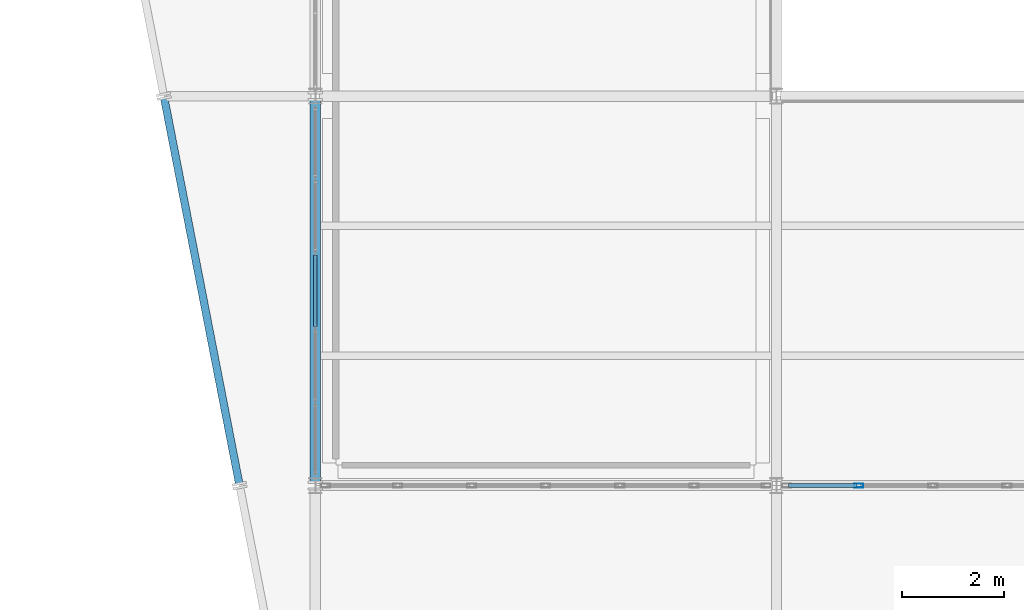
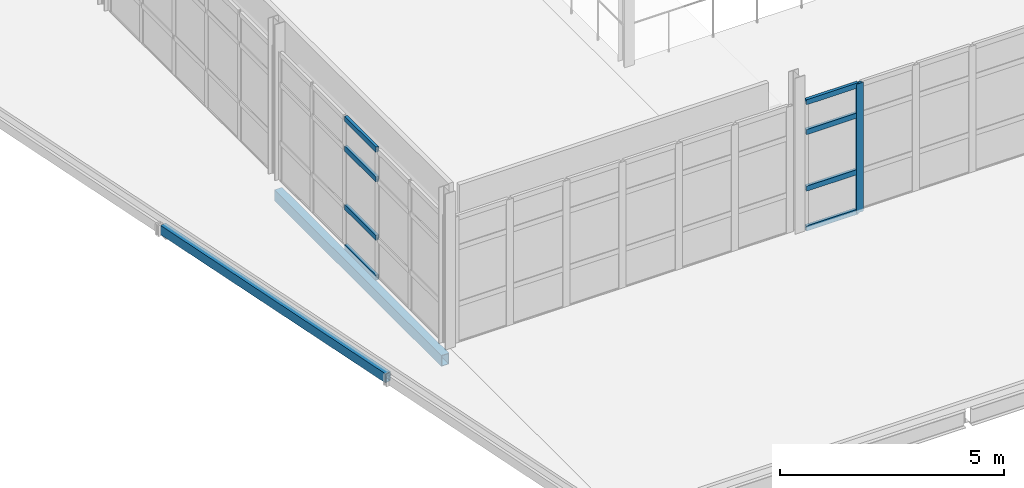
# One storey, part 39 of 96: 9 members, 2 beams, 2 elements without a shape of their own.
"""IFC4 building model written with IfcOpenShell, lengths in metres."""

import ifcopenshell
import ifcopenshell.guid

model = None  # the IFC model being written
_history = None  # IfcOwnerHistory: only IFC2X3 demands one
_inside = {}  # id of a spatial element -> (the spatial element, [elements in it])
_under = {}  # id of a project, library or spatial element -> (it, [spatial elements below it])
_declared = {}  # id of a project -> (the project, [libraries it declares])
_typed = {}  # id of a type object -> (the type object, [elements of that type])
_made_of = {}  # id of a material, layer set ... -> (it, [elements and type objects made of it])


def new_model(schema):
    """Start an empty IFC model of exactly this schema.

    Asked for "IFC4X3", IfcOpenShell would pick the latest addendum, in which some entities
    have other attributes; the version numbers below select the first issue.
    IFC2X3 requires an IfcOwnerHistory on every rooted entity: one is made here for all.
    """
    global model, _history
    if schema == "IFC4X3":
        model = ifcopenshell.file(schema_version=(4, 3, 0, 0))
    else:
        model = ifcopenshell.file(schema=schema)
    _inside.clear()
    _under.clear()
    _declared.clear()
    _typed.clear()
    _made_of.clear()
    _history = None
    if model.schema == "IFC2X3":
        org = make("IfcOrganization", Name="unknown")
        user = make(
            "IfcPersonAndOrganization",
            ThePerson=make("IfcPerson", FamilyName="unknown"),
            TheOrganization=org,
        )
        app = make(
            "IfcApplication",
            ApplicationDeveloper=org,
            Version="unknown",
            ApplicationFullName="unknown",
            ApplicationIdentifier="unknown",
        )
        _history = make(
            "IfcOwnerHistory",
            OwningUser=user,
            OwningApplication=app,
            ChangeAction="ADDED",
            CreationDate=0,
        )
    return model


def make(cls, **values):
    """One entity of the class cls with the attributes given. An attribute that is None is left unset."""
    return model.create_entity(
        cls, **{name: value for name, value in values.items() if value is not None}
    )


def rooted(cls, **values):
    """An entity with a GlobalId (a new one), such as an element, a storey or a relation."""
    return make(cls, GlobalId=ifcopenshell.guid.new(), OwnerHistory=_history, **values)


def si_unit(unit_type, name, prefix=None):
    """IfcSIUnit, for example si_unit("LENGTHUNIT", "METRE", prefix="MILLI")."""
    return make("IfcSIUnit", UnitType=unit_type, Prefix=prefix, Name=name)


def assignment(units):
    """IfcUnitAssignment: the units of a project."""
    return None if units is None else make("IfcUnitAssignment", Units=units)


def point(xyz):
    """IfcCartesianPoint."""
    return None if xyz is None else make("IfcCartesianPoint", Coordinates=xyz)


def direction(xyz):
    """IfcDirection."""
    return None if xyz is None else make("IfcDirection", DirectionRatios=xyz)


def frame(location, z_axis=None, x_axis=None):
    """IfcAxis2Placement3D, a coordinate frame: its origin and axes. An axis left out is left unset."""
    return make(
        "IfcAxis2Placement3D",
        Location=point(location),
        Axis=direction(z_axis),
        RefDirection=direction(x_axis),
    )


def frame_2d(location, x_axis=None):
    """IfcAxis2Placement2D, a coordinate frame in the plane: its origin and x axis."""
    return make(
        "IfcAxis2Placement2D", Location=point(location), RefDirection=direction(x_axis)
    )


def origin():
    """The frame at (0, 0, 0) with its axes left unset."""
    return frame((0.0, 0.0, 0.0))


def origin_2d():
    """The frame at (0, 0) in the plane with its x axis left unset."""
    return frame_2d((0.0, 0.0))


def place(relative_to, where):
    """IfcLocalPlacement: puts the frame where relative to a parent placement (None: the world)."""
    return make(
        "IfcLocalPlacement", PlacementRelTo=relative_to, RelativePlacement=where
    )


def context(
    kind, dimensions, precision=None, world=None, true_north=None, identifier=None
):
    """IfcGeometricRepresentationContext, for example the 3D "Model" context."""
    return make(
        "IfcGeometricRepresentationContext",
        ContextIdentifier=identifier,
        ContextType=kind,
        CoordinateSpaceDimension=dimensions,
        Precision=precision,
        WorldCoordinateSystem=world,
        TrueNorth=true_north,
    )


def subcontext(parent, identifier, kind, view, scale=None):
    """IfcGeometricRepresentationSubContext, for example "Body" below "Model"."""
    return make(
        "IfcGeometricRepresentationSubContext",
        ContextIdentifier=identifier,
        ContextType=kind,
        ParentContext=parent,
        TargetScale=scale,
        TargetView=view,
    )


def project(units=None, contexts=None):
    """IfcProject with its units and contexts."""
    return rooted(
        "IfcProject",
        Name="project",
        RepresentationContexts=contexts,
        UnitsInContext=assignment(units),
    )


def spatial(cls, under=None, at=None, **own):
    """A site, building, storey or space (cls), placed at a placement, below another one or the project."""
    s = rooted(cls, ObjectPlacement=at, **own)
    if under is not None:
        _under.setdefault(under.id(), (under, []))[1].append(s)
    return s


def profile(cls, at=None, kind="AREA", **sizes):
    """A parametric profile (cls). Its sizes go by their IFC names, for example OverallWidth=200.0."""
    return make(cls, ProfileType=kind, Position=at, **sizes)


def hollow_rectangle(**sizes):
    """IfcRectangleHollowProfileDef."""
    return profile("IfcRectangleHollowProfileDef", **sizes)


def extrude(swept, where, along, depth):
    """IfcExtrudedAreaSolid: the profile swept, set in the frame where, extruded along a direction by depth."""
    return make(
        "IfcExtrudedAreaSolid",
        SweptArea=swept,
        Position=where,
        ExtrudedDirection=direction(along),
        Depth=depth,
    )


def shape(context_of_items, identifier, shape_type, items):
    """IfcShapeRepresentation: the items that make up one representation, for example the "Body"."""
    return make(
        "IfcShapeRepresentation",
        ContextOfItems=context_of_items,
        RepresentationIdentifier=identifier,
        RepresentationType=shape_type,
        Items=items,
    )


def material(Name=None, Category=None):
    """IfcMaterial."""
    return make("IfcMaterial", Name=Name, Category=Category)


def material_profile(
    of_material, cross_section, Name=None, Category=None, Priority=None
):
    """IfcMaterialProfile: a cross section and its material."""
    return make(
        "IfcMaterialProfile",
        Name=Name,
        Material=of_material,
        Profile=cross_section,
        Priority=Priority,
        Category=Category,
    )


def profile_set(profiles, Name=None, composite=None):
    """IfcMaterialProfileSet."""
    return make(
        "IfcMaterialProfileSet",
        Name=Name,
        MaterialProfiles=profiles,
        CompositeProfile=composite,
    )


def made_of(thing, what):
    """Note that an element or type object is made of a material, layer set ...; save() writes the relation."""
    if what is not None:
        _made_of.setdefault(what.id(), (what, []))[1].append(thing)
    return thing


def type_object(cls, material=None, **own):
    """A type object (cls), such as IfcWallType, which elements share."""
    return made_of(rooted(cls, **own), material)


def element(
    cls,
    number,
    at=None,
    inside=None,
    cuts=None,
    type_object=None,
    material=None,
    context=None,
    identifier="Body",
    shape_type=None,
    held_by="IfcProductDefinitionShape",
    body=None,
    shapes=None,
    **own,
):
    """One element of the class cls, such as IfcWall. Its Tag is "e" and its number.

    at: its placement. inside: the storey or other place that contains it. cuts: it is an
    opening in that element (IfcRelVoidsElement). A single representation is given by context,
    identifier, shape_type and body (its items); several are given by shapes. held_by: the class
    of the entity that holds the representations. save() writes the other relations.
    """
    e = rooted(cls, Tag="e%d" % number, ObjectPlacement=at, **own)
    if body is not None:
        shapes = [shape(context, identifier, shape_type, body)]
    if shapes is not None:
        e.Representation = make(held_by, Representations=shapes)
    if inside is not None:
        _inside.setdefault(inside.id(), (inside, []))[1].append(e)
    if cuts is not None:
        rooted(
            "IfcRelVoidsElement", RelatingBuildingElement=cuts, RelatedOpeningElement=e
        )
    if type_object is not None:
        _typed.setdefault(type_object.id(), (type_object, []))[1].append(e)
    return made_of(e, material)


def aggregate(whole, parts):
    """IfcRelAggregates: a whole, such as a stair, and the parts it consists of."""
    return rooted("IfcRelAggregates", RelatingObject=whole, RelatedObjects=parts)


def save(model, path):
    """Write the relations noted so far, then the file.

    IfcRelAggregates (storeys below a building ...), IfcRelContainedInSpatialStructure (elements
    in a storey), IfcRelDefinesByType, IfcRelAssociatesMaterial and IfcRelDeclares: one each for
    every whole, place, type object, material and project.
    """
    for whole, parts in _under.values():
        aggregate(whole, parts)
    for where, things in _inside.values():
        rooted(
            "IfcRelContainedInSpatialStructure",
            RelatedElements=things,
            RelatingStructure=where,
        )
    for kind, things in _typed.values():
        rooted("IfcRelDefinesByType", RelatedObjects=things, RelatingType=kind)
    for what, things in _made_of.values():
        rooted("IfcRelAssociatesMaterial", RelatedObjects=things, RelatingMaterial=what)
    for by, libraries in _declared.values():
        rooted("IfcRelDeclares", RelatingContext=by, RelatedDefinitions=libraries)
    model.write(path)


model = new_model("IFC4")

# Units and contexts
model_context = context("Model", 3, precision=1e-05, world=origin(), true_north=direction((0.0, 1.0)))
body_context = subcontext(model_context, "Body", "Model", "MODEL_VIEW")
ifc_project = project(units=[si_unit("LENGTHUNIT", "METRE"), si_unit("AREAUNIT", "SQUARE_METRE"), si_unit("VOLUMEUNIT", "CUBIC_METRE"), si_unit("PLANEANGLEUNIT", "RADIAN"), si_unit("MASSUNIT", "GRAM", prefix="KILO")], contexts=[model_context])

# Site, building, storey
site_placement = place(None, origin())
site = spatial("IfcSite", under=ifc_project, at=site_placement, CompositionType="ELEMENT")
building_placement = place(site_placement, origin())
building = spatial("IfcBuilding", under=site, at=building_placement, Name="Caisbarro Railhouse Central Library", CompositionType="ELEMENT")
storey_placement = place(building_placement, frame((0.0, 0.0, 13.679931640625)))
storey = spatial("IfcBuildingStorey", under=building, at=storey_placement, Name="L03", CompositionType="ELEMENT", Elevation=13.679931640625)

# Beams
ifc_material_1 = material(Name="Steel ASTM A572 Grade 50", Category="steel")
ifc_material_profile_1 = material_profile(ifc_material_1, hollow_rectangle(XDim=0.199951171875, YDim=0.300048828125, WallThickness=0.012451171875, at=origin_2d()), Name="HSS300X200X12.5")
ifc_profile_set_1 = profile_set([ifc_material_profile_1], Name="Steel ASTM A572 Grade 50")
beam_type_1 = type_object("IfcBeamType", Name="BM-SP02", PredefinedType="SPANDREL", material=ifc_profile_set_1)
beam_1_placement = place(storey_placement, frame((117.0, 68.47998046875, -0.369873046875), z_axis=(0.0, 1.0, 0.0), x_axis=(-1.0, 0.0, 0.0)))
element("IfcBeam", 1, at=beam_1_placement, inside=storey, type_object=beam_type_1, Name="SP02 beam L03 #1881", PredefinedType="SPANDREL", context=body_context, shape_type="SweptSolid", body=[
    extrude(hollow_rectangle(XDim=0.199951171875, YDim=0.300048828125, WallThickness=0.012451171875, at=origin_2d()), origin(), (0.0, 0.0, 1.0), 7.43994140625),
])
ifc_material_profile_2 = material_profile(ifc_material_1, hollow_rectangle(XDim=0.14990234375, YDim=0.25, WallThickness=0.010009765625, at=origin_2d()), Name="HSS250X150X10")
ifc_profile_set_2 = profile_set([ifc_material_profile_2], Name="Steel ASTM A572 Grade 50")
beam_type_2 = type_object("IfcBeamType", Name="BM-SP03", PredefinedType="SPANDREL", material=ifc_profile_set_2)
beam_2_placement = place(storey_placement, frame((115.513427734375, 68.44921875, -0.304931640625), z_axis=(-0.190909846889, 0.981607574523, 0.0), x_axis=(-0.981607574523, -0.190909846889, 0.0)))
element("IfcBeam", 2, at=beam_2_placement, inside=storey, type_object=beam_type_2, Name="SP03 beam L03 #2425", PredefinedType="SPANDREL", context=body_context, shape_type="SweptSolid", body=[
    extrude(hollow_rectangle(XDim=0.14990234375, YDim=0.25, WallThickness=0.010009765625, at=origin_2d()), origin(), (0.0, 0.0, 1.0), 7.642333984375),
])

# Curtain wall, member
ifc_material_2 = material(Name="Anodised architectural aluminium", Category="aluminium")
curtain_wall_type = type_object("IfcCurtainWallType", Name="CW-CW02", PredefinedType="NOTDEFINED", material=ifc_material_2)
curtain_wall_1_placement = place(storey_placement, origin())
curtain_wall_1 = element("IfcCurtainWall", 3, at=curtain_wall_1_placement, inside=storey, type_object=curtain_wall_type, Name="CW02 curtain wall L03 #149", PredefinedType="NOTDEFINED")
ifc_material_profile_3 = material_profile(ifc_material_2, hollow_rectangle(XDim=0.074951171875, YDim=0.179931640625, WallThickness=0.00439453125, at=origin_2d()), Name="ALU-MUL-75X180")
ifc_profile_set_3 = profile_set([ifc_material_profile_3], Name="Anodised architectural aluminium")
member_type_1 = type_object("IfcMemberType", Name="CWM-M01", PredefinedType="MULLION", material=ifc_profile_set_3)
member_1_placement = place(storey_placement, frame((127.606689453125, 68.39990234375, 0.0), z_axis=(0.0, 0.0, 1.0), x_axis=(0.0, 1.0, 0.0)))
member_1 = element("IfcMember", 4, at=member_1_placement, type_object=member_type_1, Name="CW02 mullion 2", PredefinedType="MULLION", context=body_context, shape_type="SweptSolid", body=[
    extrude(hollow_rectangle(XDim=0.074951171875, YDim=0.179931640625, WallThickness=0.00439453125, at=origin_2d()), origin(), (0.0, 0.0, 1.0), 3.510009765625),
])

# Curtain wall, members
curtain_wall_2_placement = place(storey_placement, origin())
curtain_wall_2 = element("IfcCurtainWall", 5, at=curtain_wall_2_placement, inside=storey, type_object=curtain_wall_type, Name="CW02 curtain wall L03 #142", PredefinedType="NOTDEFINED")
ifc_material_profile_4 = material_profile(ifc_material_2, hollow_rectangle(XDim=0.074951171875, YDim=0.139892578125, WallThickness=0.00390625, at=origin_2d()), Name="ALU-TRN-75X140")
ifc_profile_set_4 = profile_set([ifc_material_profile_4], Name="Anodised architectural aluminium")
member_type_2 = type_object("IfcMemberType", Name="CWT-T01", PredefinedType="USERDEFINED", material=ifc_profile_set_4)
member_2_placement = place(storey_placement, frame((117.0, 71.50439453125, 0.03759765625), z_axis=(0.0, 1.0, 0.0), x_axis=(-1.0, 0.0, 0.0)))
member_2 = element("IfcMember", 6, at=member_2_placement, type_object=member_type_2, Name="CW02 transom 3.1", ObjectType="TRANSOM", PredefinedType="USERDEFINED", context=body_context, shape_type="SweptSolid", body=[
    extrude(hollow_rectangle(XDim=0.074951171875, YDim=0.139892578125, WallThickness=0.00390625, at=origin_2d()), origin(), (0.0, 0.0, 1.0), 1.39111328125),
])
member_3_placement = place(storey_placement, frame((117.0, 71.50439453125, 1.1201171875), z_axis=(0.0, 1.0, 0.0), x_axis=(-1.0, 0.0, 0.0)))
member_3 = element("IfcMember", 7, at=member_3_placement, type_object=member_type_2, Name="CW02 transom 3.2", ObjectType="TRANSOM", PredefinedType="USERDEFINED", context=body_context, shape_type="SweptSolid", body=[
    extrude(hollow_rectangle(XDim=0.074951171875, YDim=0.139892578125, WallThickness=0.00390625, at=origin_2d()), origin(), (0.0, 0.0, 1.0), 1.39111328125),
])
member_4_placement = place(storey_placement, frame((117.0, 71.50439453125, 2.7099609375), z_axis=(0.0, 1.0, 0.0), x_axis=(-1.0, 0.0, 0.0)))
member_4 = element("IfcMember", 8, at=member_4_placement, type_object=member_type_2, Name="CW02 transom 3.3", ObjectType="TRANSOM", PredefinedType="USERDEFINED", context=body_context, shape_type="SweptSolid", body=[
    extrude(hollow_rectangle(XDim=0.074951171875, YDim=0.139892578125, WallThickness=0.00390625, at=origin_2d()), origin(), (0.0, 0.0, 1.0), 1.39111328125),
])
member_5_placement = place(storey_placement, frame((117.0, 71.50439453125, 3.5224609375), z_axis=(0.0, 1.0, 0.0), x_axis=(-1.0, 0.0, 0.0)))
member_5 = element("IfcMember", 9, at=member_5_placement, type_object=member_type_2, Name="CW02 transom 3.4", ObjectType="TRANSOM", PredefinedType="USERDEFINED", context=body_context, shape_type="SweptSolid", body=[
    extrude(hollow_rectangle(XDim=0.074951171875, YDim=0.139892578125, WallThickness=0.00390625, at=origin_2d()), origin(), (0.0, 0.0, 1.0), 1.39111328125),
])
aggregate(curtain_wall_2, [member_2, member_3, member_4, member_5])

# Member
member_6_placement = place(storey_placement, frame((126.235107421875, 68.39990234375, 0.03759765625), z_axis=(1.0, 0.0, 0.0), x_axis=(0.0, 1.0, 0.0)))
member_6 = element("IfcMember", 10, at=member_6_placement, type_object=member_type_2, Name="CW02 transom 1.1", ObjectType="TRANSOM", PredefinedType="USERDEFINED", context=body_context, shape_type="SweptSolid", body=[
    extrude(hollow_rectangle(XDim=0.074951171875, YDim=0.139892578125, WallThickness=0.00390625, at=origin_2d()), origin(), (0.0, 0.0, 1.0), 1.333984375),
])

member_7_placement = place(storey_placement, frame((126.235107421875, 68.39990234375, 1.1201171875), z_axis=(1.0, 0.0, 0.0), x_axis=(0.0, 1.0, 0.0)))
member_7 = element("IfcMember", 11, at=member_7_placement, type_object=member_type_2, Name="CW02 transom 1.2", ObjectType="TRANSOM", PredefinedType="USERDEFINED", context=body_context, shape_type="SweptSolid", body=[
    extrude(hollow_rectangle(XDim=0.074951171875, YDim=0.139892578125, WallThickness=0.00390625, at=origin_2d()), origin(), (0.0, 0.0, 1.0), 1.333984375),
])

member_8_placement = place(storey_placement, frame((126.235107421875, 68.39990234375, 2.66015625), z_axis=(1.0, 0.0, 0.0), x_axis=(0.0, 1.0, 0.0)))
member_8 = element("IfcMember", 12, at=member_8_placement, type_object=member_type_2, Name="CW02 transom 1.3", ObjectType="TRANSOM", PredefinedType="USERDEFINED", context=body_context, shape_type="SweptSolid", body=[
    extrude(hollow_rectangle(XDim=0.074951171875, YDim=0.139892578125, WallThickness=0.00390625, at=origin_2d()), origin(), (0.0, 0.0, 1.0), 1.333984375),
])

member_9_placement = place(storey_placement, frame((126.235107421875, 68.39990234375, 3.47265625), z_axis=(1.0, 0.0, 0.0), x_axis=(0.0, 1.0, 0.0)))
member_9 = element("IfcMember", 13, at=member_9_placement, type_object=member_type_2, Name="CW02 transom 1.4", ObjectType="TRANSOM", PredefinedType="USERDEFINED", context=body_context, shape_type="SweptSolid", body=[
    extrude(hollow_rectangle(XDim=0.074951171875, YDim=0.139892578125, WallThickness=0.00390625, at=origin_2d()), origin(), (0.0, 0.0, 1.0), 1.333984375),
])

aggregate(curtain_wall_1, [member_1, member_6, member_7, member_8, member_9])

save(model, "model.ifc")
